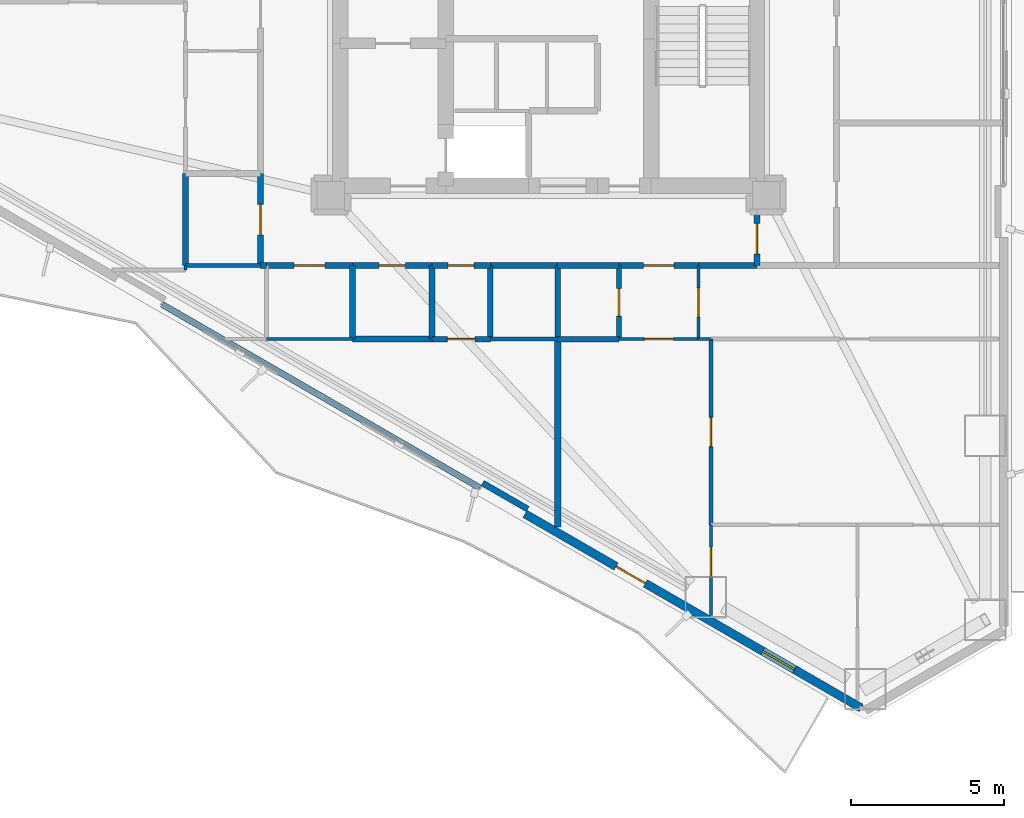
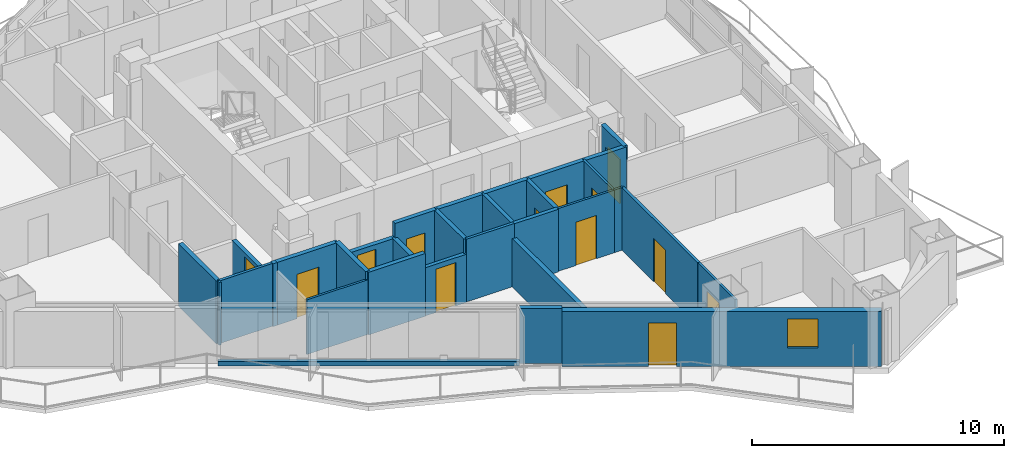
# One storey, part 12 of 19: 32 walls, 13 doors, 1 window, 14 openings.
"""IFC4 building model written with IfcOpenShell, lengths in metres."""

from ifc_helpers import new_model, si_unit, direction, frame, frame_2d, origin, place, context, subcontext, project, spatial, rectangle, extrude, material, layer, layer_set, type_object, element, fill, save


model = new_model("IFC4")

# Units and contexts
model_context = context("Model", 3, precision=1e-05, world=origin(), true_north=direction((0.0, 1.0)))
body_context = subcontext(model_context, "Body", "Model", "MODEL_VIEW")
ifc_project = project(units=[si_unit("LENGTHUNIT", "METRE"), si_unit("AREAUNIT", "SQUARE_METRE"), si_unit("VOLUMEUNIT", "CUBIC_METRE"), si_unit("PLANEANGLEUNIT", "RADIAN"), si_unit("MASSUNIT", "GRAM", prefix="KILO")], contexts=[model_context])

# Site, building, storey
site_placement = place(None, origin())
site = spatial("IfcSite", under=ifc_project, at=site_placement, CompositionType="ELEMENT")
building_placement = place(site_placement, origin())
building = spatial("IfcBuilding", under=site, at=building_placement, Name="Mersakhor Tower and Convention Hall", CompositionType="ELEMENT")
storey_placement = place(building_placement, frame((0.0, 0.0, 45.60009765625)))
storey = spatial("IfcBuildingStorey", under=building, at=storey_placement, Name="L12", CompositionType="ELEMENT", Elevation=45.60009765625)

# Wall, openings, door, window
ifc_material_1 = material(Name="Precast concrete C45/55", Category="concrete")
ifc_layer_1 = layer(ifc_material_1, 0.27490234375)
ifc_layer_set_1 = layer_set([ifc_layer_1], Name="Precast concrete C45/55")
wall_type_1 = type_object("IfcWallType", Name="WL-EXT-275", PredefinedType="SOLIDWALL", material=ifc_layer_set_1)
wall_1_placement = place(storey_placement, frame((39.20703125, 3.709716796875, 0.0), z_axis=(0.0, 0.0, 1.0), x_axis=(-0.86603192154, 0.499988710747, 0.0)))
wall_1 = element("IfcWall", 1, at=wall_1_placement, inside=storey, type_object=wall_type_1, Name="L12 Exterior Facade Wall F3-B1", PredefinedType="SOLIDWALL", context=body_context, shape_type="SweptSolid", body=[
    extrude(rectangle(XDim=12.673095703125, YDim=0.27490234375, at=frame_2d((6.33642578125, 0.0))), origin(), (0.0, 0.0, 1.0), 2.659912109375),
])
opening_1_placement = place(wall_1_placement, frame((8.135986328125, 0.0, 0.0)))
opening_1 = element("IfcOpeningElement", 2, at=opening_1_placement, cuts=wall_1, Name="Opening BD-02", PredefinedType="OPENING", context=body_context, shape_type="SweptSolid", body=[
    extrude(rectangle(XDim=1.10009765625, YDim=2.10009765625, at=frame_2d((0.550048828125, 1.050048828125))), frame((0.0, 0.1474609375, 0.0), z_axis=(0.0, -1.0, 0.0), x_axis=(1.0, 0.0, 0.0)), (0.0, 0.0, 1.0), 0.294921875),
])
opening_2_placement = place(wall_1_placement, frame((2.51806640625, 0.0, 0.89990234375)))
opening_2 = element("IfcOpeningElement", 3, at=opening_2_placement, cuts=wall_1, Name="Opening W-01", PredefinedType="OPENING", context=body_context, shape_type="SweptSolid", body=[
    extrude(rectangle(XDim=1.199951171875, YDim=1.39990234375, at=frame_2d((0.60009765625, 0.699951171875))), frame((0.0, 0.1474609375, 0.0), z_axis=(0.0, -1.0, 0.0), x_axis=(1.0, 0.0, 0.0)), (0.0, 0.0, 1.0), 0.294921875),
])
ifc_material_2 = material(Name="Thermally broken dark aluminium and safety glass", Category="aluminium")
door_type_1 = type_object("IfcDoorType", Name="DR-BAL-110x210", OperationType="NOTDEFINED", PredefinedType="DOOR", material=ifc_material_2)
door_1_placement = place(opening_1_placement, origin())
door_1 = element("IfcDoor", 4, at=door_1_placement, inside=storey, type_object=door_type_1, Name="L12 Balcony Terrace Door F3-B1", OperationType="SINGLE_SWING_RIGHT", OverallHeight=2.10009765625, OverallWidth=1.10009765625, PredefinedType="DOOR", context=body_context, shape_type="SweptSolid", body=[
    extrude(rectangle(XDim=1.10009765625, YDim=2.10009765625, at=frame_2d((0.550048828125, 1.050048828125))), frame((0.0, 0.02490234375, 0.0), z_axis=(0.0, -1.0, 0.0), x_axis=(1.0, 0.0, 0.0)), (0.0, 0.0, 1.0), 0.050048828125),
])
fill(opening_1, door_1)
ifc_material_3 = material(Name="Dark solar low-E glazed aluminium window", Category="aluminium")
window_type = type_object("IfcWindowType", Name="WN-RES-120x150", PartitioningType="SINGLE_PANEL", PredefinedType="WINDOW", material=ifc_material_3)
window_placement = place(opening_2_placement, origin())
window = element("IfcWindow", 5, at=window_placement, inside=storey, type_object=window_type, Name="L12 Bedroom Facade Window F3-B1-1", OverallHeight=1.39990234375, OverallWidth=1.199951171875, PartitioningType="SINGLE_PANEL", PredefinedType="WINDOW", context=body_context, shape_type="SweptSolid", body=[
    extrude(rectangle(XDim=1.199951171875, YDim=1.39990234375, at=frame_2d((0.60009765625, 0.699951171875))), frame((0.0, 0.030029296875, 0.0), z_axis=(0.0, -1.0, 0.0), x_axis=(1.0, 0.0, 0.0)), (0.0, 0.0, 1.0), 0.06005859375),
])
fill(opening_2, window)

# Walls
ifc_material_4 = material(Name="Precast concrete C40/50", Category="concrete")
ifc_layer_2 = layer(ifc_material_4, 0.199951171875)
ifc_layer_set_2 = layer_set([ifc_layer_2], Name="Precast concrete C40/50")
wall_type_2 = type_object("IfcWallType", Name="WL-PAR-200", PredefinedType="PARAPET", material=ifc_layer_set_2)
wall_2_placement = place(storey_placement, frame((26.759521484375, 10.896240234375, 0.0), z_axis=(0.0, 0.0, 1.0), x_axis=(-0.866027351828, 0.499996625875, 0.0)))
element("IfcWall", 6, at=wall_2_placement, inside=storey, type_object=wall_type_2, Name="L12 Curtain Wall Upstand Sill F3-B2", PredefinedType="PARAPET", context=body_context, shape_type="SweptSolid", body=[
    extrude(rectangle(XDim=11.97314453125, YDim=0.199951171875, at=frame_2d((5.986572265625, 0.0))), origin(), (0.0, 0.0, 1.0), 0.199951171875),
])
wall_3_placement = place(storey_placement, frame((28.32177734375, 10.2021484375, 0.0), z_axis=(0.0, 0.0, 1.0), x_axis=(-0.86605165483, 0.499954529098, 0.0)))
element("IfcWall", 7, at=wall_3_placement, inside=storey, type_object=wall_type_2, Name="L12 Column Pier Cladding Wall F3-C1", PredefinedType="PARAPET", context=body_context, shape_type="SweptSolid", body=[
    extrude(rectangle(XDim=1.699951171875, YDim=0.199951171875, at=frame_2d((0.85009765625, 0.0))), origin(), (0.0, 0.0, 1.0), 2.659912109375),
])

# Wall, opening, door
ifc_material_5 = material(Name="Moisture-resistant acoustic drywall studwork", Category="other")
ifc_layer_3 = layer(ifc_material_5, 0.175048828125)
ifc_layer_set_3 = layer_set([ifc_layer_3], Name="Moisture-resistant acoustic drywall studwork")
wall_type_3 = type_object("IfcWallType", Name="WL-PLM-175", PredefinedType="PLUMBINGWALL", material=ifc_layer_set_3)
wall_4_placement = place(storey_placement, frame((31.300048828125, 15.75, 0.0), z_axis=(0.0, 0.0, 1.0), x_axis=(0.0, 1.0, 0.0)))
wall_4 = element("IfcWall", 8, at=wall_4_placement, inside=storey, type_object=wall_type_3, Name="L12 Interior Partition Wall P-073", PredefinedType="PLUMBINGWALL", context=body_context, shape_type="SweptSolid", body=[
    extrude(rectangle(XDim=2.39990234375, YDim=0.175048828125, at=frame_2d((1.199951171875, 0.0))), origin(), (0.0, 0.0, 1.0), 3.039794921875),
])
opening_3_placement = place(wall_4_placement, frame((0.75, 0.0, 0.0)))
opening_3 = element("IfcOpeningElement", 9, at=opening_3_placement, cuts=wall_4, Name="Opening WD-01", PredefinedType="OPENING", context=body_context, shape_type="SweptSolid", body=[
    extrude(rectangle(XDim=0.89990234375, YDim=2.10009765625, at=frame_2d((0.449951171875, 1.050048828125))), frame((0.0, 0.097412109375, 0.0), z_axis=(0.0, -1.0, 0.0), x_axis=(1.0, 0.0, 0.0)), (0.0, 0.0, 1.0), 0.195068359375),
])
ifc_material_6 = material(Name="Solid-core hardwood leaf in painted steel frame", Category="steel")
door_type_2 = type_object("IfcDoorType", Name="DR-INT-WET-090x210", OperationType="NOTDEFINED", PredefinedType="DOOR", material=ifc_material_6)
door_2_placement = place(opening_3_placement, origin())
door_2 = element("IfcDoor", 10, at=door_2_placement, inside=storey, type_object=door_type_2, Name="L12 L12 Flat S4 Apartment Hall to L12 Flat S4 Bathroom Door", OperationType="SINGLE_SWING_RIGHT", OverallHeight=2.10009765625, OverallWidth=0.89990234375, PredefinedType="DOOR", context=body_context, shape_type="SweptSolid", body=[
    extrude(rectangle(XDim=0.89990234375, YDim=2.10009765625, at=frame_2d((0.449951171875, 1.050048828125))), frame((0.0, 0.02490234375, 0.0), z_axis=(0.0, -1.0, 0.0), x_axis=(1.0, 0.0, 0.0)), (0.0, 0.0, 1.0), 0.050048828125),
])
fill(opening_3, door_2)

wall_5_placement = place(storey_placement, frame((27.10009765625, 15.75, 0.0), z_axis=(0.0, 0.0, 1.0), x_axis=(-1.0, 0.0, 0.0)))
wall_5 = element("IfcWall", 11, at=wall_5_placement, inside=storey, type_object=wall_type_3, Name="L12 Interior Partition Wall P-087", PredefinedType="PLUMBINGWALL", context=body_context, shape_type="SweptSolid", body=[
    extrude(rectangle(XDim=1.900146484375, YDim=0.175048828125, at=frame_2d((0.9501953125, 0.0))), origin(), (0.0, 0.0, 1.0), 2.33740234375),
])
opening_4_placement = place(wall_5_placement, frame((0.5, 0.0, 0.0)))
opening_4 = element("IfcOpeningElement", 12, at=opening_4_placement, cuts=wall_5, Name="Opening WD-01", PredefinedType="OPENING", context=body_context, shape_type="SweptSolid", body=[
    extrude(rectangle(XDim=0.89990234375, YDim=2.10009765625, at=frame_2d((0.449951171875, 1.050048828125))), frame((0.0, 0.097412109375, 0.0), z_axis=(0.0, -1.0, 0.0), x_axis=(1.0, 0.0, 0.0)), (0.0, 0.0, 1.0), 0.195068359375),
])
door_3_placement = place(opening_4_placement, origin())
door_3 = element("IfcDoor", 13, at=door_3_placement, inside=storey, type_object=door_type_2, Name="L12 L12 Floor Shared Restroom WC 3-2 to L12 Floor Residents Study Room 3-4 Door", OperationType="SINGLE_SWING_LEFT", OverallHeight=2.10009765625, OverallWidth=0.89990234375, PredefinedType="DOOR", context=body_context, shape_type="SweptSolid", body=[
    extrude(rectangle(XDim=0.89990234375, YDim=2.10009765625, at=frame_2d((0.449951171875, 1.050048828125))), frame((0.0, 0.02490234375, 0.0), z_axis=(0.0, -1.0, 0.0), x_axis=(1.0, 0.0, 0.0)), (0.0, 0.0, 1.0), 0.050048828125),
])
fill(opening_4, door_3)

# Walls
wall_6_placement = place(storey_placement, frame((27.10009765625, 18.14990234375, 0.0), z_axis=(0.0, 0.0, 1.0), x_axis=(0.0, -1.0, 0.0)))
element("IfcWall", 14, at=wall_6_placement, inside=storey, type_object=wall_type_3, Name="L12 Interior Partition Wall P-089", PredefinedType="PLUMBINGWALL", context=body_context, shape_type="SweptSolid", body=[
    extrude(rectangle(XDim=2.39990234375, YDim=0.175048828125, at=frame_2d((1.199951171875, 0.0))), origin(), (0.0, 0.0, 1.0), 3.039794921875),
])
wall_7_placement = place(storey_placement, frame((31.300048828125, 15.75, 0.0), z_axis=(0.0, 0.0, 1.0), x_axis=(-1.0, 0.0, 0.0)))
element("IfcWall", 15, at=wall_7_placement, inside=storey, type_object=wall_type_3, Name="L12 Interior Partition Wall P-090", PredefinedType="PLUMBINGWALL", context=body_context, shape_type="SweptSolid", body=[
    extrude(rectangle(XDim=2.0, YDim=0.175048828125, at=frame_2d((1.0, 0.0))), origin(), (0.0, 0.0, 1.0), 3.039794921875),
])
wall_8_placement = place(storey_placement, frame((29.300048828125, 15.75, 0.0), z_axis=(0.0, 0.0, 1.0), x_axis=(0.0, 1.0, 0.0)))
element("IfcWall", 16, at=wall_8_placement, inside=storey, type_object=wall_type_3, Name="L12 Interior Partition Wall P-091", PredefinedType="PLUMBINGWALL", context=body_context, shape_type="SweptSolid", body=[
    extrude(rectangle(XDim=2.39990234375, YDim=0.175048828125, at=frame_2d((1.199951171875, 0.0))), origin(), (0.0, 0.0, 1.0), 3.039794921875),
])

# Wall, opening, door
ifc_material_7 = material(Name="Lightweight gypsum partition", Category="other")
ifc_layer_4 = layer(ifc_material_7, 0.10009765625)
ifc_layer_set_4 = layer_set([ifc_layer_4], Name="Lightweight gypsum partition")
wall_type_4 = type_object("IfcWallType", Name="WL-PRT-100", PredefinedType="PARTITIONING", material=ifc_layer_set_4)
wall_9_placement = place(storey_placement, frame((33.89990234375, 15.75, 0.0), z_axis=(0.0, 0.0, 1.0), x_axis=(-1.0, 0.0, 0.0)))
wall_9 = element("IfcWall", 17, at=wall_9_placement, inside=storey, type_object=wall_type_4, Name="L12 Interior Partition Wall P-072", PredefinedType="PARTITIONING", context=body_context, shape_type="SweptSolid", body=[
    extrude(rectangle(XDim=2.599853515625, YDim=0.10009765625, at=frame_2d((1.2998046875, 0.0))), origin(), (0.0, 0.0, 1.0), 3.039794921875),
])
opening_5_placement = place(wall_9_placement, frame((0.824951171875, 0.0, 0.0)))
opening_5 = element("IfcOpeningElement", 18, at=opening_5_placement, cuts=wall_9, Name="Opening RD-01", PredefinedType="OPENING", context=body_context, shape_type="SweptSolid", body=[
    extrude(rectangle(XDim=0.949951171875, YDim=2.10009765625, at=frame_2d((0.47509765625, 1.050048828125))), frame((0.0, 0.06005859375, 0.0), z_axis=(0.0, -1.0, 0.0), x_axis=(1.0, 0.0, 0.0)), (0.0, 0.0, 1.0), 0.1201171875),
])
ifc_material_8 = material(Name="Solid-core hardwood leaf in painted steel frame", Category="steel")
door_type_3 = type_object("IfcDoorType", Name="DR-INT-RM-095x210", OperationType="NOTDEFINED", PredefinedType="DOOR", material=ifc_material_8)
door_4_placement = place(opening_5_placement, origin())
door_4 = element("IfcDoor", 19, at=door_4_placement, inside=storey, type_object=door_type_3, Name="L12 L12 Flat S4 Apartment Hall to L12 Flat S4 Living and Dining Room Door", OperationType="SINGLE_SWING_RIGHT", OverallHeight=2.10009765625, OverallWidth=0.949951171875, PredefinedType="DOOR", context=body_context, shape_type="SweptSolid", body=[
    extrude(rectangle(XDim=0.949951171875, YDim=2.10009765625, at=frame_2d((0.47509765625, 1.050048828125))), frame((0.0, 0.02490234375, 0.0), z_axis=(0.0, -1.0, 0.0), x_axis=(1.0, 0.0, 0.0)), (0.0, 0.0, 1.0), 0.050048828125),
])
fill(opening_5, door_4)

wall_10_placement = place(storey_placement, frame((33.89990234375, 18.14990234375, 0.0), z_axis=(0.0, 0.0, 1.0), x_axis=(0.0, -1.0, 0.0)))
wall_10 = element("IfcWall", 20, at=wall_10_placement, inside=storey, type_object=wall_type_4, Name="L12 Interior Partition Wall P-074", PredefinedType="PARTITIONING", context=body_context, shape_type="SweptSolid", body=[
    extrude(rectangle(XDim=2.39990234375, YDim=0.10009765625, at=frame_2d((1.199951171875, 0.0))), origin(), (0.0, 0.0, 1.0), 3.039794921875),
])
opening_6_placement = place(wall_10_placement, frame((0.72509765625, 0.0, 0.0)))
opening_6 = element("IfcOpeningElement", 21, at=opening_6_placement, cuts=wall_10, Name="Opening RD-01", PredefinedType="OPENING", context=body_context, shape_type="SweptSolid", body=[
    extrude(rectangle(XDim=0.949951171875, YDim=2.10009765625, at=frame_2d((0.47509765625, 1.050048828125))), frame((0.0, 0.06005859375, 0.0), z_axis=(0.0, -1.0, 0.0), x_axis=(1.0, 0.0, 0.0)), (0.0, 0.0, 1.0), 0.1201171875),
])
door_5_placement = place(opening_6_placement, origin())
door_5 = element("IfcDoor", 22, at=door_5_placement, inside=storey, type_object=door_type_3, Name="L12 L12 Flat S4 Apartment Hall to L12 Flat S4 Kitchen Door", OperationType="SINGLE_SWING_LEFT", OverallHeight=2.10009765625, OverallWidth=0.949951171875, PredefinedType="DOOR", context=body_context, shape_type="SweptSolid", body=[
    extrude(rectangle(XDim=0.949951171875, YDim=2.10009765625, at=frame_2d((0.47509765625, 1.050048828125))), frame((0.0, 0.02490234375, 0.0), z_axis=(0.0, -1.0, 0.0), x_axis=(1.0, 0.0, 0.0)), (0.0, 0.0, 1.0), 0.050048828125),
])
fill(opening_6, door_5)

# Walls
wall_11_placement = place(storey_placement, frame((34.300048828125, 15.75, 0.0), z_axis=(0.0, 0.0, 1.0), x_axis=(-1.0, 0.0, 0.0)))
element("IfcWall", 23, at=wall_11_placement, inside=storey, type_object=wall_type_4, Name="L12 Interior Partition Wall P-094", PredefinedType="PARTITIONING", context=body_context, shape_type="SweptSolid", body=[
    extrude(rectangle(XDim=0.400146484375, YDim=0.10009765625, at=frame_2d((0.2001953125, 0.0))), origin(), (0.0, 0.0, 1.0), 3.039794921875),
])
wall_12_placement = place(storey_placement, frame((22.60009765625, 15.75, 0.0), z_axis=(0.0, 0.0, 1.0), x_axis=(-1.0, 0.0, 0.0)))
element("IfcWall", 24, at=wall_12_placement, inside=storey, type_object=wall_type_4, Name="L12 Interior Partition Wall P-112", PredefinedType="PARTITIONING", context=body_context, shape_type="SweptSolid", body=[
    extrude(rectangle(XDim=2.800048828125, YDim=0.10009765625, at=frame_2d((1.39990234375, 0.0))), origin(), (0.0, 0.0, 1.0), 2.650390625),
])

# Wall, opening, door
wall_13_placement = place(storey_placement, frame((34.300048828125, 9.68994140625, 0.0), z_axis=(0.0, 0.0, 1.0), x_axis=(0.0, -1.0, 0.0)))
wall_13 = element("IfcWall", 25, at=wall_13_placement, inside=storey, type_object=wall_type_4, Name="L12 Interior Partition Wall P-118", PredefinedType="PARTITIONING", context=body_context, shape_type="SweptSolid", body=[
    extrude(rectangle(XDim=2.960693359375, YDim=0.10009765625, at=frame_2d((1.48046875, 0.0))), origin(), (0.0, 0.0, 1.0), 3.039794921875),
])
opening_7_placement = place(wall_13_placement, frame((0.727783203125, 0.0, 0.0)))
opening_7 = element("IfcOpeningElement", 26, at=opening_7_placement, cuts=wall_13, Name="Opening RD-01", PredefinedType="OPENING", context=body_context, shape_type="SweptSolid", body=[
    extrude(rectangle(XDim=0.949951171875, YDim=2.10009765625, at=frame_2d((0.47509765625, 1.050048828125))), frame((0.0, 0.06005859375, 0.0), z_axis=(0.0, -1.0, 0.0), x_axis=(1.0, 0.0, 0.0)), (0.0, 0.0, 1.0), 0.1201171875),
])
door_6_placement = place(opening_7_placement, origin())
door_6 = element("IfcDoor", 27, at=door_6_placement, inside=storey, type_object=door_type_3, Name="L12 L12 Flat S4 Living and Dining Room to L12 Flat S4 Bedroom 1 Door", OperationType="SINGLE_SWING_RIGHT", OverallHeight=2.10009765625, OverallWidth=0.949951171875, PredefinedType="DOOR", context=body_context, shape_type="SweptSolid", body=[
    extrude(rectangle(XDim=0.949951171875, YDim=2.10009765625, at=frame_2d((0.47509765625, 1.050048828125))), frame((0.0, 0.02490234375, 0.0), z_axis=(0.0, -1.0, 0.0), x_axis=(1.0, 0.0, 0.0)), (0.0, 0.0, 1.0), 0.050048828125),
])
fill(opening_7, door_6)

# Walls
wall_14_placement = place(storey_placement, frame((17.14990234375, 18.14990234375, 0.0), z_axis=(0.0, 0.0, 1.0), x_axis=(0.0, -1.0, 0.0)))
element("IfcWall", 28, at=wall_14_placement, inside=storey, type_object=wall_type_4, Name="L12 Interior Partition Wall P-130", PredefinedType="PARTITIONING", context=body_context, shape_type="SweptSolid", body=[
    extrude(rectangle(XDim=0.14990234375, YDim=0.10009765625, at=frame_2d((0.074951171875, 0.0))), origin(), (0.0, 0.0, 1.0), 3.039794921875),
])
ifc_material_9 = material(Name="Gypsum board acoustic partition", Category="other")
ifc_layer_5 = layer(ifc_material_9, 0.125)
ifc_layer_set_5 = layer_set([ifc_layer_5], Name="Gypsum board acoustic partition")
wall_type_5 = type_object("IfcWallType", Name="WL-PRT-125", PredefinedType="PARTITIONING", material=ifc_layer_set_5)
wall_15_placement = place(storey_placement, frame((19.60009765625, 18.14990234375, 0.0), z_axis=(0.0, 0.0, 1.0), x_axis=(-1.0, 0.0, 0.0)))
element("IfcWall", 29, at=wall_15_placement, inside=storey, type_object=wall_type_5, Name="L12 Interior Partition Wall P-105", PredefinedType="PARTITIONING", context=body_context, shape_type="SweptSolid", body=[
    extrude(rectangle(XDim=2.4501953125, YDim=0.125, at=frame_2d((1.22509765625, 0.0))), origin(), (0.0, 0.0, 1.0), 3.039794921875),
])
wall_16_placement = place(storey_placement, frame((27.10009765625, 15.75, 0.0), z_axis=(0.0, 0.0, 1.0), x_axis=(1.0, 0.0, 0.0)))
element("IfcWall", 30, at=wall_16_placement, inside=storey, type_object=wall_type_5, Name="L12 Interior Partition Wall P-115", PredefinedType="PARTITIONING", context=body_context, shape_type="SweptSolid", body=[
    extrude(rectangle(XDim=2.199951171875, YDim=0.125, at=frame_2d((1.10009765625, 0.0))), origin(), (0.0, 0.0, 1.0), 3.039794921875),
])

# Wall, opening, door
wall_17_placement = place(storey_placement, frame((34.300048828125, 15.75, 0.0), z_axis=(0.0, 0.0, 1.0), x_axis=(0.0, -1.0, 0.0)))
wall_17 = element("IfcWall", 31, at=wall_17_placement, inside=storey, type_object=wall_type_5, Name="L12 Interior Partition Wall P-117", PredefinedType="PARTITIONING", context=body_context, shape_type="SweptSolid", body=[
    extrude(rectangle(XDim=6.06005859375, YDim=0.125, at=frame_2d((3.030029296875, 0.0))), origin(), (0.0, 0.0, 1.0), 3.039794921875),
])
opening_8_placement = place(wall_17_placement, frame((2.554931640625, 0.0, 0.0)))
opening_8 = element("IfcOpeningElement", 32, at=opening_8_placement, cuts=wall_17, Name="Opening RD-01", PredefinedType="OPENING", context=body_context, shape_type="SweptSolid", body=[
    extrude(rectangle(XDim=0.949951171875, YDim=2.10009765625, at=frame_2d((0.47509765625, 1.050048828125))), frame((0.0, 0.072509765625, 0.0), z_axis=(0.0, -1.0, 0.0), x_axis=(1.0, 0.0, 0.0)), (0.0, 0.0, 1.0), 0.14501953125),
])
door_7_placement = place(opening_8_placement, origin())
door_7 = element("IfcDoor", 33, at=door_7_placement, inside=storey, type_object=door_type_3, Name="L12 L12 Flat S4 Living and Dining Room to L12 Flat S4 Dining Room Door", OperationType="SINGLE_SWING_LEFT", OverallHeight=2.10009765625, OverallWidth=0.949951171875, PredefinedType="DOOR", context=body_context, shape_type="SweptSolid", body=[
    extrude(rectangle(XDim=0.949951171875, YDim=2.10009765625, at=frame_2d((0.47509765625, 1.050048828125))), frame((0.0, 0.02490234375, 0.0), z_axis=(0.0, -1.0, 0.0), x_axis=(1.0, 0.0, 0.0)), (0.0, 0.0, 1.0), 0.050048828125),
])
fill(opening_8, door_7)

ifc_material_10 = material(Name="Acoustic concrete blockwork and gypsum board", Category="masonry")
ifc_layer_6 = layer(ifc_material_10, 0.199951171875)
ifc_layer_set_6 = layer_set([ifc_layer_6], Name="Acoustic concrete blockwork and gypsum board")
wall_type_6 = type_object("IfcWallType", Name="WL-PRT-200", PredefinedType="PARTITIONING", material=ifc_layer_set_6)
wall_18_placement = place(storey_placement, frame((35.800048828125, 19.89990234375, 0.0), z_axis=(0.0, 0.0, 1.0), x_axis=(0.0, -1.0, 0.0)))
wall_18 = element("IfcWall", 34, at=wall_18_placement, inside=storey, type_object=wall_type_6, Name="L12 Interior Partition Wall P-023", PredefinedType="PARTITIONING", context=body_context, shape_type="SweptSolid", body=[
    extrude(rectangle(XDim=1.75, YDim=0.199951171875, at=frame_2d((0.875, 0.0))), origin(), (0.0, 0.0, 1.0), 3.039794921875),
])
opening_9_placement = place(wall_18_placement, frame((0.375, 0.0, 0.0)))
opening_9 = element("IfcOpeningElement", 35, at=opening_9_placement, cuts=wall_18, Name="Opening FD-01", PredefinedType="OPENING", context=body_context, shape_type="SweptSolid", body=[
    extrude(rectangle(XDim=1.0, YDim=2.14990234375, at=frame_2d((0.5, 1.074951171875))), frame((0.0, 0.10986328125, 0.0), z_axis=(0.0, -1.0, 0.0), x_axis=(1.0, 0.0, 0.0)), (0.0, 0.0, 1.0), 0.219970703125),
])
ifc_material_11 = material(Name="Fire-rated hardwood leaf and painted steel frame", Category="steel")
door_type_4 = type_object("IfcDoorType", Name="DR-INT-FLT-100x215", OperationType="NOTDEFINED", PredefinedType="DOOR", material=ifc_material_11)
door_8_placement = place(opening_9_placement, origin())
door_8 = element("IfcDoor", 36, at=door_8_placement, inside=storey, type_object=door_type_4, Name="L12 Ring Corridor Fire Door", OperationType="SINGLE_SWING_RIGHT", OverallHeight=2.14990234375, OverallWidth=1.0, PredefinedType="DOOR", context=body_context, shape_type="SweptSolid", body=[
    extrude(rectangle(XDim=1.0, YDim=2.14990234375, at=frame_2d((0.5, 1.074951171875))), frame((0.0, 0.02490234375, 0.0), z_axis=(0.0, -1.0, 0.0), x_axis=(1.0, 0.0, 0.0)), (0.0, 0.0, 1.0), 0.050048828125),
])
fill(opening_9, door_8)

# Wall
wall_19_placement = place(storey_placement, frame((35.800048828125, 18.14990234375, 0.0), z_axis=(0.0, 0.0, 1.0), x_axis=(-1.0, 0.0, 0.0)))
element("IfcWall", 37, at=wall_19_placement, inside=storey, type_object=wall_type_6, Name="L12 Interior Partition Wall P-024", PredefinedType="PARTITIONING", context=body_context, shape_type="SweptSolid", body=[
    extrude(rectangle(XDim=1.900146484375, YDim=0.199951171875, at=frame_2d((0.9501953125, 0.0))), origin(), (0.0, 0.0, 1.0), 3.039794921875),
])

# Wall, opening, door
wall_20_placement = place(storey_placement, frame((33.89990234375, 18.14990234375, 0.0), z_axis=(0.0, 0.0, 1.0), x_axis=(-1.0, 0.0, 0.0)))
wall_20 = element("IfcWall", 38, at=wall_20_placement, inside=storey, type_object=wall_type_6, Name="L12 Interior Partition Wall P-025", PredefinedType="PARTITIONING", context=body_context, shape_type="SweptSolid", body=[
    extrude(rectangle(XDim=2.599853515625, YDim=0.199951171875, at=frame_2d((1.2998046875, 0.0))), origin(), (0.0, 0.0, 1.0), 3.039794921875),
])
opening_10_placement = place(wall_20_placement, frame((0.800048828125, 0.0, 0.0)))
opening_10 = element("IfcOpeningElement", 39, at=opening_10_placement, cuts=wall_20, Name="Opening FD-01", PredefinedType="OPENING", context=body_context, shape_type="SweptSolid", body=[
    extrude(rectangle(XDim=1.0, YDim=2.14990234375, at=frame_2d((0.5, 1.074951171875))), frame((0.0, 0.10986328125, 0.0), z_axis=(0.0, -1.0, 0.0), x_axis=(1.0, 0.0, 0.0)), (0.0, 0.0, 1.0), 0.219970703125),
])
door_9_placement = place(opening_10_placement, origin())
door_9 = element("IfcDoor", 40, at=door_9_placement, inside=storey, type_object=door_type_4, Name="L12 Apartment Entrance Door (Residential Ring Corridor to L12 Flat S4 Apartment Hall)", OperationType="SINGLE_SWING_RIGHT", OverallHeight=2.14990234375, OverallWidth=1.0, PredefinedType="DOOR", context=body_context, shape_type="SweptSolid", body=[
    extrude(rectangle(XDim=1.0, YDim=2.14990234375, at=frame_2d((0.5, 1.074951171875))), frame((0.0, 0.02490234375, 0.0), z_axis=(0.0, -1.0, 0.0), x_axis=(1.0, 0.0, 0.0)), (0.0, 0.0, 1.0), 0.050048828125),
])
fill(opening_10, door_9)

# Walls
wall_21_placement = place(storey_placement, frame((31.300048828125, 18.14990234375, 0.0), z_axis=(0.0, 0.0, 1.0), x_axis=(-1.0, 0.0, 0.0)))
element("IfcWall", 41, at=wall_21_placement, inside=storey, type_object=wall_type_6, Name="L12 Interior Partition Wall P-026", PredefinedType="PARTITIONING", context=body_context, shape_type="SweptSolid", body=[
    extrude(rectangle(XDim=2.0, YDim=0.199951171875, at=frame_2d((1.0, 0.0))), origin(), (0.0, 0.0, 1.0), 3.039794921875),
])
wall_22_placement = place(storey_placement, frame((29.300048828125, 18.14990234375, 0.0), z_axis=(0.0, 0.0, 1.0), x_axis=(-1.0, 0.0, 0.0)))
element("IfcWall", 42, at=wall_22_placement, inside=storey, type_object=wall_type_6, Name="L12 Interior Partition Wall P-027", PredefinedType="PARTITIONING", context=body_context, shape_type="SweptSolid", body=[
    extrude(rectangle(XDim=2.199951171875, YDim=0.199951171875, at=frame_2d((1.10009765625, 0.0))), origin(), (0.0, 0.0, 1.0), 3.039794921875),
])

# Wall, opening, door
wall_23_placement = place(storey_placement, frame((27.10009765625, 18.14990234375, 0.0), z_axis=(0.0, 0.0, 1.0), x_axis=(-1.0, 0.0, 0.0)))
wall_23 = element("IfcWall", 43, at=wall_23_placement, inside=storey, type_object=wall_type_6, Name="L12 Interior Partition Wall P-028", PredefinedType="PARTITIONING", context=body_context, shape_type="SweptSolid", body=[
    extrude(rectangle(XDim=1.900146484375, YDim=0.199951171875, at=frame_2d((0.9501953125, 0.0))), origin(), (0.0, 0.0, 1.0), 3.039794921875),
])
opening_11_placement = place(wall_23_placement, frame((0.52490234375, 0.0, 0.0)))
opening_11 = element("IfcOpeningElement", 44, at=opening_11_placement, cuts=wall_23, Name="Opening SVD-01", PredefinedType="OPENING", context=body_context, shape_type="SweptSolid", body=[
    extrude(rectangle(XDim=0.85009765625, YDim=2.10009765625, at=frame_2d((0.425048828125, 1.050048828125))), frame((0.0, 0.10986328125, 0.0), z_axis=(0.0, -1.0, 0.0), x_axis=(1.0, 0.0, 0.0)), (0.0, 0.0, 1.0), 0.219970703125),
])
ifc_material_12 = material(Name="Fire-rated hardwood leaf and painted steel frame", Category="steel")
door_type_5 = type_object("IfcDoorType", Name="DR-INT-SVC-085x210", OperationType="NOTDEFINED", PredefinedType="DOOR", material=ifc_material_12)
door_10_placement = place(opening_11_placement, origin())
door_10 = element("IfcDoor", 45, at=door_10_placement, inside=storey, type_object=door_type_5, Name="L12 Residential Ring Corridor to L12 Floor Shared Restroom WC 3-2 Door", OperationType="SINGLE_SWING_RIGHT", OverallHeight=2.10009765625, OverallWidth=0.85009765625, PredefinedType="DOOR", context=body_context, shape_type="SweptSolid", body=[
    extrude(rectangle(XDim=0.85009765625, YDim=2.10009765625, at=frame_2d((0.425048828125, 1.050048828125))), frame((0.0, 0.02490234375, 0.0), z_axis=(0.0, -1.0, 0.0), x_axis=(1.0, 0.0, 0.0)), (0.0, 0.0, 1.0), 0.050048828125),
])
fill(opening_11, door_10)

wall_24_placement = place(storey_placement, frame((25.199951171875, 18.14990234375, 0.0), z_axis=(0.0, 0.0, 1.0), x_axis=(-1.0, 0.0, 0.0)))
wall_24 = element("IfcWall", 46, at=wall_24_placement, inside=storey, type_object=wall_type_6, Name="L12 Interior Partition Wall P-029", PredefinedType="PARTITIONING", context=body_context, shape_type="SweptSolid", body=[
    extrude(rectangle(XDim=2.599853515625, YDim=0.199951171875, at=frame_2d((1.2998046875, 0.0))), origin(), (0.0, 0.0, 1.0), 2.33740234375),
])
opening_12_placement = place(wall_24_placement, frame((0.875, 0.0, 0.0)))
opening_12 = element("IfcOpeningElement", 47, at=opening_12_placement, cuts=wall_24, Name="Opening SVD-01", PredefinedType="OPENING", context=body_context, shape_type="SweptSolid", body=[
    extrude(rectangle(XDim=0.85009765625, YDim=2.10009765625, at=frame_2d((0.425048828125, 1.050048828125))), frame((0.0, 0.10986328125, 0.0), z_axis=(0.0, -1.0, 0.0), x_axis=(1.0, 0.0, 0.0)), (0.0, 0.0, 1.0), 0.219970703125),
])
door_11_placement = place(opening_12_placement, origin())
door_11 = element("IfcDoor", 48, at=door_11_placement, inside=storey, type_object=door_type_5, Name="L12 Residential Ring Corridor to L12 Floor Household Store Room 3-1 Door", OperationType="SINGLE_SWING_RIGHT", OverallHeight=2.10009765625, OverallWidth=0.85009765625, PredefinedType="DOOR", context=body_context, shape_type="SweptSolid", body=[
    extrude(rectangle(XDim=0.85009765625, YDim=2.10009765625, at=frame_2d((0.425048828125, 1.050048828125))), frame((0.0, 0.02490234375, 0.0), z_axis=(0.0, -1.0, 0.0), x_axis=(1.0, 0.0, 0.0)), (0.0, 0.0, 1.0), 0.050048828125),
])
fill(opening_12, door_11)

wall_25_placement = place(storey_placement, frame((22.60009765625, 18.14990234375, 0.0), z_axis=(0.0, 0.0, 1.0), x_axis=(-1.0, 0.0, 0.0)))
wall_25 = element("IfcWall", 49, at=wall_25_placement, inside=storey, type_object=wall_type_6, Name="L12 Interior Partition Wall P-030", PredefinedType="PARTITIONING", context=body_context, shape_type="SweptSolid", body=[
    extrude(rectangle(XDim=2.800048828125, YDim=0.199951171875, at=frame_2d((1.39990234375, 0.0))), origin(), (0.0, 0.0, 1.0), 3.039794921875),
])
opening_13_placement = place(wall_25_placement, frame((0.89990234375, 0.0, 0.0)))
opening_13 = element("IfcOpeningElement", 50, at=opening_13_placement, cuts=wall_25, Name="Opening FD-01", PredefinedType="OPENING", context=body_context, shape_type="SweptSolid", body=[
    extrude(rectangle(XDim=1.0, YDim=2.14990234375, at=frame_2d((0.5, 1.074951171875))), frame((0.0, 0.10986328125, 0.0), z_axis=(0.0, -1.0, 0.0), x_axis=(1.0, 0.0, 0.0)), (0.0, 0.0, 1.0), 0.219970703125),
])
door_12_placement = place(opening_13_placement, origin())
door_12 = element("IfcDoor", 51, at=door_12_placement, inside=storey, type_object=door_type_4, Name="L12 Residential Ring Corridor to L12 Floor Shared Tea Pantry 3-3 Door", OperationType="SINGLE_SWING_LEFT", OverallHeight=2.14990234375, OverallWidth=1.0, PredefinedType="DOOR", context=body_context, shape_type="SweptSolid", body=[
    extrude(rectangle(XDim=1.0, YDim=2.14990234375, at=frame_2d((0.5, 1.074951171875))), frame((0.0, 0.02490234375, 0.0), z_axis=(0.0, -1.0, 0.0), x_axis=(1.0, 0.0, 0.0)), (0.0, 0.0, 1.0), 0.050048828125),
])
fill(opening_13, door_12)

# Wall
wall_26_placement = place(storey_placement, frame((19.800048828125, 18.14990234375, 0.0), z_axis=(0.0, 0.0, 1.0), x_axis=(-1.0, 0.0, 0.0)))
element("IfcWall", 52, at=wall_26_placement, inside=storey, type_object=wall_type_6, Name="L12 Interior Partition Wall P-031", PredefinedType="PARTITIONING", context=body_context, shape_type="SweptSolid", body=[
    extrude(rectangle(XDim=0.199951171875, YDim=0.199951171875, at=frame_2d((0.10009765625, 0.0))), origin(), (0.0, 0.0, 1.0), 3.039794921875),
])

# Wall, opening, door
wall_27_placement = place(storey_placement, frame((19.60009765625, 18.14990234375, 0.0), z_axis=(0.0, 0.0, 1.0), x_axis=(0.0, 1.0, 0.0)))
wall_27 = element("IfcWall", 53, at=wall_27_placement, inside=storey, type_object=wall_type_6, Name="L12 Interior Partition Wall P-032", PredefinedType="PARTITIONING", context=body_context, shape_type="SweptSolid", body=[
    extrude(rectangle(XDim=3.0, YDim=0.199951171875, at=frame_2d((1.5, 0.0))), origin(), (0.0, 0.0, 1.0), 2.33740234375),
])
opening_14_placement = place(wall_27_placement, frame((1.0, 0.0, 0.0)))
opening_14 = element("IfcOpeningElement", 54, at=opening_14_placement, cuts=wall_27, Name="Opening FD-01", PredefinedType="OPENING", context=body_context, shape_type="SweptSolid", body=[
    extrude(rectangle(XDim=1.0, YDim=2.14990234375, at=frame_2d((0.5, 1.074951171875))), frame((0.0, 0.10986328125, 0.0), z_axis=(0.0, -1.0, 0.0), x_axis=(1.0, 0.0, 0.0)), (0.0, 0.0, 1.0), 0.219970703125),
])
door_13_placement = place(opening_14_placement, origin())
door_13 = element("IfcDoor", 55, at=door_13_placement, inside=storey, type_object=door_type_4, Name="L12 Residential Ring Corridor to L12 West Wing Shared Laundry Room Door", OperationType="SINGLE_SWING_LEFT", OverallHeight=2.14990234375, OverallWidth=1.0, PredefinedType="DOOR", context=body_context, shape_type="SweptSolid", body=[
    extrude(rectangle(XDim=1.0, YDim=2.14990234375, at=frame_2d((0.5, 1.074951171875))), frame((0.0, 0.02490234375, 0.0), z_axis=(0.0, -1.0, 0.0), x_axis=(1.0, 0.0, 0.0)), (0.0, 0.0, 1.0), 0.050048828125),
])
fill(opening_14, door_13)

# Walls
wall_28_placement = place(storey_placement, frame((25.199951171875, 15.75, 0.0), z_axis=(0.0, 0.0, 1.0), x_axis=(0.0, 1.0, 0.0)))
element("IfcWall", 56, at=wall_28_placement, inside=storey, type_object=wall_type_6, Name="L12 Interior Partition Wall P-088", PredefinedType="PARTITIONING", context=body_context, shape_type="SweptSolid", body=[
    extrude(rectangle(XDim=2.39990234375, YDim=0.199951171875, at=frame_2d((1.199951171875, 0.0))), origin(), (0.0, 0.0, 1.0), 2.33740234375),
])
wall_29_placement = place(storey_placement, frame((17.14990234375, 18.14990234375, 0.0), z_axis=(0.0, 0.0, 1.0), x_axis=(0.0, 1.0, 0.0)))
element("IfcWall", 57, at=wall_29_placement, inside=storey, type_object=wall_type_6, Name="L12 Interior Partition Wall P-104", PredefinedType="PARTITIONING", context=body_context, shape_type="SweptSolid", body=[
    extrude(rectangle(XDim=3.0, YDim=0.199951171875, at=frame_2d((1.5, 0.0))), origin(), (0.0, 0.0, 1.0), 3.039794921875),
])
wall_30_placement = place(storey_placement, frame((25.199951171875, 15.75, 0.0), z_axis=(0.0, 0.0, 1.0), x_axis=(-1.0, 0.0, 0.0)))
element("IfcWall", 58, at=wall_30_placement, inside=storey, type_object=wall_type_6, Name="L12 Interior Partition Wall P-110", PredefinedType="PARTITIONING", context=body_context, shape_type="SweptSolid", body=[
    extrude(rectangle(XDim=2.599853515625, YDim=0.199951171875, at=frame_2d((1.2998046875, 0.0))), origin(), (0.0, 0.0, 1.0), 3.039794921875),
])
wall_31_placement = place(storey_placement, frame((22.60009765625, 15.75, 0.0), z_axis=(0.0, 0.0, 1.0), x_axis=(0.0, 1.0, 0.0)))
element("IfcWall", 59, at=wall_31_placement, inside=storey, type_object=wall_type_6, Name="L12 Interior Partition Wall P-111", PredefinedType="PARTITIONING", context=body_context, shape_type="SweptSolid", body=[
    extrude(rectangle(XDim=2.39990234375, YDim=0.199951171875, at=frame_2d((1.199951171875, 0.0))), origin(), (0.0, 0.0, 1.0), 3.039794921875),
])
wall_32_placement = place(storey_placement, frame((29.300048828125, 15.75, 0.0), z_axis=(0.0, 0.0, 1.0), x_axis=(0.0, -1.0, 0.0)))
element("IfcWall", 60, at=wall_32_placement, inside=storey, type_object=wall_type_6, Name="L12 Interior Partition Wall P-116", PredefinedType="PARTITIONING", context=body_context, shape_type="SweptSolid", body=[
    extrude(rectangle(XDim=6.134033203125, YDim=0.199951171875, at=frame_2d((3.06689453125, 0.0))), origin(), (0.0, 0.0, 1.0), 2.33740234375),
])

save(model, "model.ifc")
